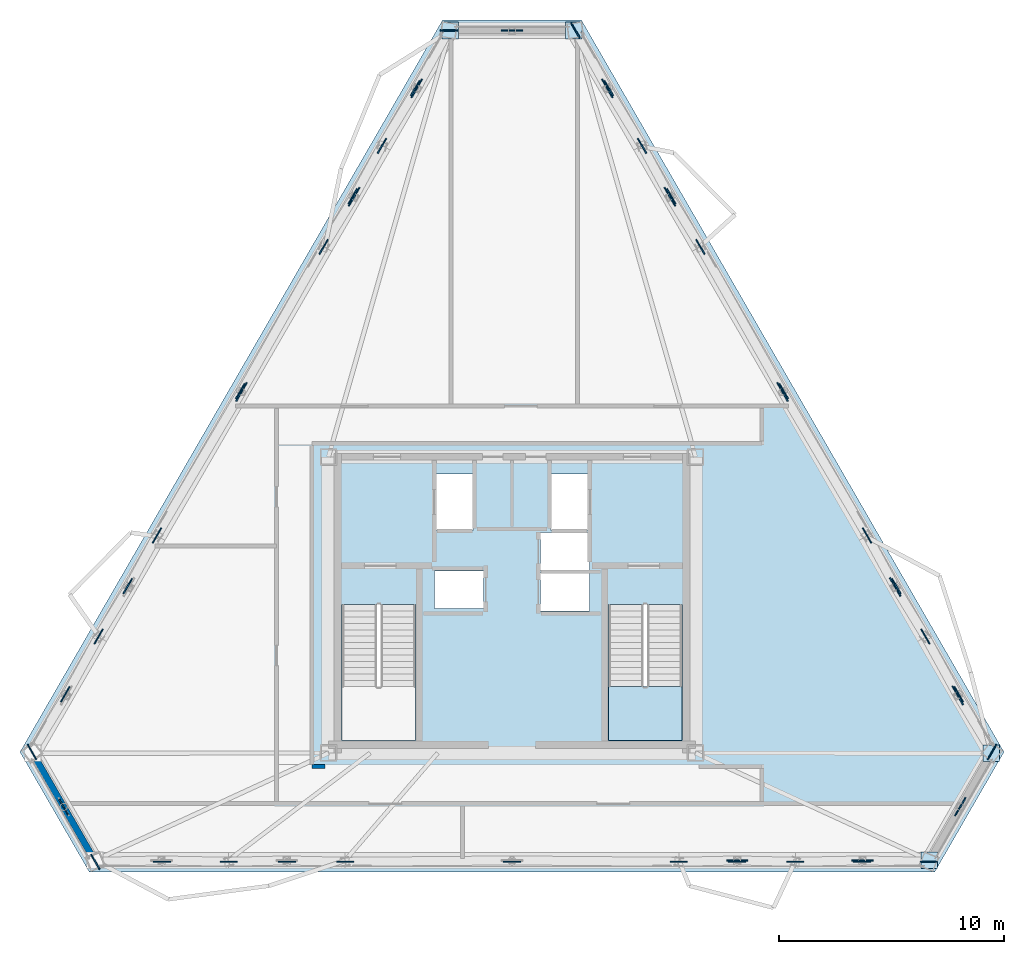
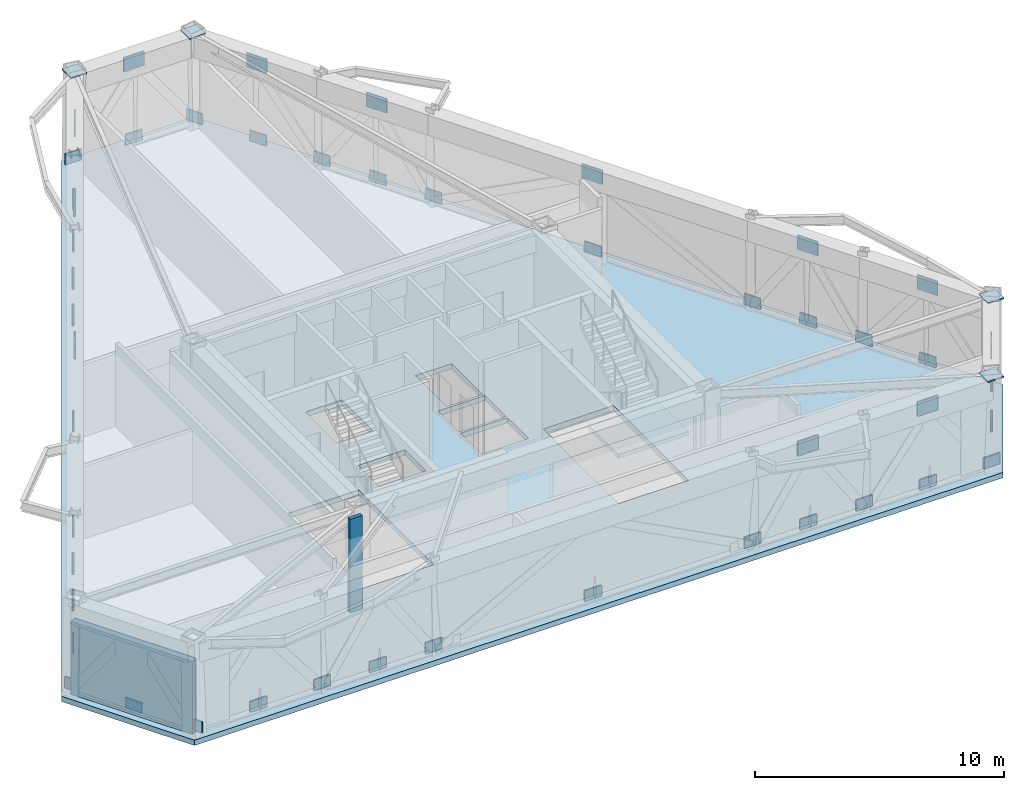
# One storey, part 5 of 10: 52 plates, 2 slabs, 2 walls, 1 element without a shape of its own.
"""IFC4 building model written with IfcOpenShell, lengths in metres."""

from ifc_helpers import new_model, si_unit, direction, frame, frame_2d, origin, origin_2d, place, context, subcontext, project, spatial, polyline, rectangle, outline, extrude, material, layer, layer_set, type_object, element, aggregate, save


model = new_model("IFC4")

# Units and contexts
model_context = context("Model", 3, precision=1e-05, world=origin(), true_north=direction((0.0, 1.0)))
body_context = subcontext(model_context, "Body", "Model", "MODEL_VIEW")
ifc_project = project(units=[si_unit("LENGTHUNIT", "METRE"), si_unit("AREAUNIT", "SQUARE_METRE"), si_unit("VOLUMEUNIT", "CUBIC_METRE"), si_unit("PLANEANGLEUNIT", "RADIAN"), si_unit("MASSUNIT", "GRAM", prefix="KILO")], contexts=[model_context])

# Site, building, storey
site_placement = place(None, origin())
site = spatial("IfcSite", under=ifc_project, at=site_placement, CompositionType="ELEMENT")
building_placement = place(site_placement, origin())
building = spatial("IfcBuilding", under=site, at=building_placement, Name="Oramaril Tower", CompositionType="ELEMENT")
storey_placement = place(building_placement, frame((0.0, 0.0, 245.10009765625)))
storey = spatial("IfcBuildingStorey", under=building, at=storey_placement, Name="L65", CompositionType="ELEMENT", Elevation=245.10009765625)

# Plates
ifc_material_1 = material(Name="Steel ASTM A572 Gr 50", Category="steel")
ifc_layer_1 = layer(ifc_material_1, 0.06494140625)
ifc_layer_set_1 = layer_set([ifc_layer_1], Name="PLT-C65")
plate_type_1 = type_object("IfcPlateType", Name="PLT-C65", PredefinedType="USERDEFINED", material=ifc_layer_set_1)
for number, where, z_axis, x_axis, name in (
    (1, (56.026123046875, 6.23046875, 4.514892578125), (0.0, 0.0, 1.0), (1.0, 0.0, 0.0), "L65 Column Cap Plate CP-03"),
    (2, (58.7744140625, 10.990478515625, 4.514892578125), (0.0, 0.0, 1.0), (1.0, 0.0, 0.0), "L65 Column Cap Plate CP-04"),
    (3, (40.248291015625, 43.0791015625, 4.514892578125), (0.0, 0.0, 1.0), (1.0, 0.0, 0.0), "L65 Column Cap Plate CP-05"),
    (4, (34.751708984375, 43.0791015625, 4.514892578125), (0.0, 0.0, 1.0), (1.0, 0.0, 0.0), "L65 Column Cap Plate CP-06"),
):
    element("IfcPlate", number, at=place(storey_placement, frame(where, z_axis=z_axis, x_axis=x_axis)), inside=storey, type_object=plate_type_1, Name=name, ObjectType="CAP", PredefinedType="USERDEFINED", context=body_context, shape_type="SweptSolid", body=[
        extrude(rectangle(XDim=0.739990234375, YDim=0.739990234375, at=origin_2d()), origin(), (0.0, 0.0, 1.0), 0.06494140625),
    ])
ifc_material_2 = material(Name="Steel ASTM A572 Gr 50", Category="steel")
ifc_layer_2 = layer(ifc_material_2, 0.06005859375)
ifc_layer_set_2 = layer_set([ifc_layer_2], Name="PLT-G60")
plate_type_2 = type_object("IfcPlateType", Name="PLT-G60", PredefinedType="USERDEFINED", material=ifc_layer_set_2)
plate_1_placement = place(storey_placement, frame((17.591552734375, 8.60595703125, 0.10986328125), z_axis=(0.0, 0.0, 1.0), x_axis=(0.499992442484, -0.866029767075, 0.0)))
element("IfcPlate", 5, at=plate_1_placement, inside=storey, type_object=plate_type_2, Name="L65 Truss Mid-Chord Gusset Node KN-65A", ObjectType="GUSSET", PredefinedType="USERDEFINED", context=body_context, shape_type="SweptSolid", body=[
    extrude(rectangle(XDim=0.780029296875, YDim=0.06005859375, at=origin_2d()), origin(), (0.0, 0.0, 1.0), 0.52001953125),
])
for number, where, z_axis, x_axis, name in (
    (6, (16.18408203125, 11.04345703125, 0.119873046875), (0.0, 0.0, 1.0), (0.499992442484, -0.866029767075, 0.0), "L65 Truss Base Gusset Node KN-65A"),
    (7, (18.998779296875, 6.168212890625, 0.119873046875), (0.0, 0.0, 1.0), (0.499992442484, -0.866029767075, 0.0), "L65 Truss Base Gusset Node KN-65A"),
):
    element("IfcPlate", number, at=place(storey_placement, frame(where, z_axis=z_axis, x_axis=x_axis)), inside=storey, type_object=plate_type_2, Name=name, ObjectType="GUSSET", PredefinedType="USERDEFINED", context=body_context, shape_type="SweptSolid", body=[
        extrude(rectangle(XDim=0.760009765625, YDim=0.06005859375, at=origin_2d()), origin(), (0.0, 0.0, 1.0), 0.5400390625),
    ])
plate_2_placement = place(storey_placement, frame((21.958984375, 6.168212890625, 0.10986328125), z_axis=(0.0, 0.0, 1.0), x_axis=(1.0, 0.0, 0.0)))
element("IfcPlate", 8, at=plate_2_placement, inside=storey, type_object=plate_type_2, Name="L65 Truss Mid-Chord Gusset Node KN-65A", ObjectType="GUSSET", PredefinedType="USERDEFINED", context=body_context, shape_type="SweptSolid", body=[
    extrude(rectangle(XDim=0.780029296875, YDim=0.06005859375, at=origin_2d()), origin(), (0.0, 0.0, 1.0), 0.52001953125),
])
plate_3_placement = place(storey_placement, frame((24.919189453125, 6.168212890625, 0.119873046875), z_axis=(0.0, 0.0, 1.0), x_axis=(1.0, 0.0, 0.0)))
element("IfcPlate", 9, at=plate_3_placement, inside=storey, type_object=plate_type_2, Name="L65 Truss Base Gusset Node KN-65A", ObjectType="GUSSET", PredefinedType="USERDEFINED", context=body_context, shape_type="SweptSolid", body=[
    extrude(rectangle(XDim=0.760009765625, YDim=0.06005859375, at=origin_2d()), origin(), (0.0, 0.0, 1.0), 0.5400390625),
])
plate_4_placement = place(storey_placement, frame((27.509521484375, 6.168212890625, 0.10986328125), z_axis=(0.0, 0.0, 1.0), x_axis=(1.0, 0.0, 0.0)))
element("IfcPlate", 10, at=plate_4_placement, inside=storey, type_object=plate_type_2, Name="L65 Truss Mid-Chord Gusset Node KN-65A", ObjectType="GUSSET", PredefinedType="USERDEFINED", context=body_context, shape_type="SweptSolid", body=[
    extrude(rectangle(XDim=0.780029296875, YDim=0.06005859375, at=origin_2d()), origin(), (0.0, 0.0, 1.0), 0.52001953125),
])
plate_5_placement = place(storey_placement, frame((30.099609375, 6.168212890625, 0.119873046875), z_axis=(0.0, 0.0, 1.0), x_axis=(1.0, 0.0, 0.0)))
element("IfcPlate", 11, at=plate_5_placement, inside=storey, type_object=plate_type_2, Name="L65 Truss Base Gusset Node KN-65A", ObjectType="GUSSET", PredefinedType="USERDEFINED", context=body_context, shape_type="SweptSolid", body=[
    extrude(rectangle(XDim=0.760009765625, YDim=0.06005859375, at=origin_2d()), origin(), (0.0, 0.0, 1.0), 0.5400390625),
])
plate_6_placement = place(storey_placement, frame((37.5, 6.168212890625, 0.10986328125), z_axis=(0.0, 0.0, 1.0), x_axis=(1.0, 0.0, 0.0)))
element("IfcPlate", 12, at=plate_6_placement, inside=storey, type_object=plate_type_2, Name="L65 Truss Mid-Chord Gusset Node KN-65A", ObjectType="GUSSET", PredefinedType="USERDEFINED", context=body_context, shape_type="SweptSolid", body=[
    extrude(rectangle(XDim=0.780029296875, YDim=0.06005859375, at=origin_2d()), origin(), (0.0, 0.0, 1.0), 0.52001953125),
])
plate_7_placement = place(storey_placement, frame((44.900390625, 6.168212890625, 0.119873046875), z_axis=(0.0, 0.0, 1.0), x_axis=(1.0, 0.0, 0.0)))
element("IfcPlate", 13, at=plate_7_placement, inside=storey, type_object=plate_type_2, Name="L65 Truss Base Gusset Node KN-65A", ObjectType="GUSSET", PredefinedType="USERDEFINED", context=body_context, shape_type="SweptSolid", body=[
    extrude(rectangle(XDim=0.760009765625, YDim=0.06005859375, at=origin_2d()), origin(), (0.0, 0.0, 1.0), 0.5400390625),
])
plate_8_placement = place(storey_placement, frame((47.504150390625, 6.23046875, 3.72998046875), z_axis=(0.0, 0.0, 1.0), x_axis=(1.0, 0.0, 0.0)))
element("IfcPlate", 14, at=plate_8_placement, inside=storey, type_object=plate_type_2, Name="L65 Truss Top Gusset Node KN-65A", ObjectType="GUSSET", PredefinedType="USERDEFINED", context=body_context, shape_type="SweptSolid", body=[
    extrude(rectangle(XDim=0.949951171875, YDim=0.06005859375, at=origin_2d()), origin(), (0.0, 0.0, 1.0), 0.699951171875),
])
plate_9_placement = place(storey_placement, frame((47.490478515625, 6.168212890625, 0.10986328125), z_axis=(0.0, 0.0, 1.0), x_axis=(1.0, 0.0, 0.0)))
element("IfcPlate", 15, at=plate_9_placement, inside=storey, type_object=plate_type_2, Name="L65 Truss Mid-Chord Gusset Node KN-65A", ObjectType="GUSSET", PredefinedType="USERDEFINED", context=body_context, shape_type="SweptSolid", body=[
    extrude(rectangle(XDim=0.780029296875, YDim=0.06005859375, at=origin_2d()), origin(), (0.0, 0.0, 1.0), 0.52001953125),
])
plate_10_placement = place(storey_placement, frame((50.080810546875, 6.168212890625, 0.119873046875), z_axis=(0.0, 0.0, 1.0), x_axis=(1.0, 0.0, 0.0)))
element("IfcPlate", 16, at=plate_10_placement, inside=storey, type_object=plate_type_2, Name="L65 Truss Base Gusset Node KN-65A", ObjectType="GUSSET", PredefinedType="USERDEFINED", context=body_context, shape_type="SweptSolid", body=[
    extrude(rectangle(XDim=0.760009765625, YDim=0.06005859375, at=origin_2d()), origin(), (0.0, 0.0, 1.0), 0.5400390625),
])
plate_11_placement = place(storey_placement, frame((53.06201171875, 6.23046875, 3.72998046875), z_axis=(0.0, 0.0, 1.0), x_axis=(1.0, 0.0, 0.0)))
element("IfcPlate", 17, at=plate_11_placement, inside=storey, type_object=plate_type_2, Name="L65 Truss Top Gusset Node KN-65A", ObjectType="GUSSET", PredefinedType="USERDEFINED", context=body_context, shape_type="SweptSolid", body=[
    extrude(rectangle(XDim=0.949951171875, YDim=0.06005859375, at=origin_2d()), origin(), (0.0, 0.0, 1.0), 0.699951171875),
])
plate_12_placement = place(storey_placement, frame((53.041015625, 6.168212890625, 0.10986328125), z_axis=(0.0, 0.0, 1.0), x_axis=(1.0, 0.0, 0.0)))
element("IfcPlate", 18, at=plate_12_placement, inside=storey, type_object=plate_type_2, Name="L65 Truss Mid-Chord Gusset Node KN-65A", ObjectType="GUSSET", PredefinedType="USERDEFINED", context=body_context, shape_type="SweptSolid", body=[
    extrude(rectangle(XDim=0.780029296875, YDim=0.06005859375, at=origin_2d()), origin(), (0.0, 0.0, 1.0), 0.52001953125),
])
plate_13_placement = place(storey_placement, frame((56.001220703125, 6.168212890625, 0.119873046875), z_axis=(0.0, 0.0, 1.0), x_axis=(1.0, 0.0, 0.0)))
element("IfcPlate", 19, at=plate_13_placement, inside=storey, type_object=plate_type_2, Name="L65 Truss Base Gusset Node KN-65A", ObjectType="GUSSET", PredefinedType="USERDEFINED", context=body_context, shape_type="SweptSolid", body=[
    extrude(rectangle(XDim=0.760009765625, YDim=0.06005859375, at=origin_2d()), origin(), (0.0, 0.0, 1.0), 0.5400390625),
])
plate_14_placement = place(storey_placement, frame((57.400390625, 8.610595703125, 3.72998046875), z_axis=(0.0, 0.0, 1.0), x_axis=(0.499992442484, 0.866029767075, 0.0)))
element("IfcPlate", 20, at=plate_14_placement, inside=storey, type_object=plate_type_2, Name="L65 Truss Top Gusset Node KN-65B", ObjectType="GUSSET", PredefinedType="USERDEFINED", context=body_context, shape_type="SweptSolid", body=[
    extrude(rectangle(XDim=0.949951171875, YDim=0.06005859375, at=origin_2d()), origin(), (0.0, 0.0, 1.0), 0.699951171875),
])
plate_15_placement = place(storey_placement, frame((57.408447265625, 8.60595703125, 0.10986328125), z_axis=(0.0, 0.0, 1.0), x_axis=(0.499992442484, 0.866029767075, 0.0)))
element("IfcPlate", 21, at=plate_15_placement, inside=storey, type_object=plate_type_2, Name="L65 Truss Mid-Chord Gusset Node KN-65B", ObjectType="GUSSET", PredefinedType="USERDEFINED", context=body_context, shape_type="SweptSolid", body=[
    extrude(rectangle(XDim=0.780029296875, YDim=0.06005859375, at=origin_2d()), origin(), (0.0, 0.0, 1.0), 0.52001953125),
])
plate_16_placement = place(storey_placement, frame((58.81591796875, 11.04345703125, 0.119873046875), z_axis=(0.0, 0.0, 1.0), x_axis=(0.499992442484, 0.866029767075, 0.0)))
element("IfcPlate", 22, at=plate_16_placement, inside=storey, type_object=plate_type_2, Name="L65 Truss Base Gusset Node KN-65B", ObjectType="GUSSET", PredefinedType="USERDEFINED", context=body_context, shape_type="SweptSolid", body=[
    extrude(rectangle(XDim=0.760009765625, YDim=0.06005859375, at=origin_2d()), origin(), (0.0, 0.0, 1.0), 0.5400390625),
])
plate_17_placement = place(storey_placement, frame((57.292236328125, 13.5576171875, 3.72998046875), z_axis=(0.0, 0.0, 1.0), x_axis=(-0.500001511499, 0.866024531118, 0.0)))
element("IfcPlate", 23, at=plate_17_placement, inside=storey, type_object=plate_type_2, Name="L65 Truss Top Gusset Node KN-65B", ObjectType="GUSSET", PredefinedType="USERDEFINED", context=body_context, shape_type="SweptSolid", body=[
    extrude(rectangle(XDim=0.949951171875, YDim=0.06005859375, at=origin_2d()), origin(), (0.0, 0.0, 1.0), 0.699951171875),
])
plate_18_placement = place(storey_placement, frame((57.335693359375, 13.607177734375, 0.10986328125), z_axis=(0.0, 0.0, 1.0), x_axis=(-0.500001511499, 0.866024531118, 0.0)))
element("IfcPlate", 24, at=plate_18_placement, inside=storey, type_object=plate_type_2, Name="L65 Truss Mid-Chord Gusset Node KN-65B", ObjectType="GUSSET", PredefinedType="USERDEFINED", context=body_context, shape_type="SweptSolid", body=[
    extrude(rectangle(XDim=0.780029296875, YDim=0.06005859375, at=origin_2d()), origin(), (0.0, 0.0, 1.0), 0.52001953125),
])
plate_19_placement = place(storey_placement, frame((55.855712890625, 16.170654296875, 0.119873046875), z_axis=(0.0, 0.0, 1.0), x_axis=(-0.500001511499, 0.866024531118, 0.0)))
element("IfcPlate", 25, at=plate_19_placement, inside=storey, type_object=plate_type_2, Name="L65 Truss Base Gusset Node KN-65B", ObjectType="GUSSET", PredefinedType="USERDEFINED", context=body_context, shape_type="SweptSolid", body=[
    extrude(rectangle(XDim=0.760009765625, YDim=0.06005859375, at=origin_2d()), origin(), (0.0, 0.0, 1.0), 0.5400390625),
])
plate_20_placement = place(storey_placement, frame((54.513427734375, 18.370849609375, 3.72998046875), z_axis=(0.0, 0.0, 1.0), x_axis=(-0.4999984885, 0.866026276448, 0.0)))
element("IfcPlate", 26, at=plate_20_placement, inside=storey, type_object=plate_type_2, Name="L65 Truss Top Gusset Node KN-65B", ObjectType="GUSSET", PredefinedType="USERDEFINED", context=body_context, shape_type="SweptSolid", body=[
    extrude(rectangle(XDim=0.949951171875, YDim=0.06005859375, at=origin_2d()), origin(), (0.0, 0.0, 1.0), 0.699951171875),
])
plate_21_placement = place(storey_placement, frame((54.560546875, 18.413818359375, 0.10986328125), z_axis=(0.0, 0.0, 1.0), x_axis=(-0.4999984885, 0.866026276448, 0.0)))
element("IfcPlate", 27, at=plate_21_placement, inside=storey, type_object=plate_type_2, Name="L65 Truss Mid-Chord Gusset Node KN-65B", ObjectType="GUSSET", PredefinedType="USERDEFINED", context=body_context, shape_type="SweptSolid", body=[
    extrude(rectangle(XDim=0.780029296875, YDim=0.06005859375, at=origin_2d()), origin(), (0.0, 0.0, 1.0), 0.52001953125),
])
plate_22_placement = place(storey_placement, frame((53.265380859375, 20.656982421875, 0.119873046875), z_axis=(0.0, 0.0, 1.0), x_axis=(-0.4999984885, 0.866026276448, 0.0)))
element("IfcPlate", 28, at=plate_22_placement, inside=storey, type_object=plate_type_2, Name="L65 Truss Base Gusset Node KN-65B", ObjectType="GUSSET", PredefinedType="USERDEFINED", context=body_context, shape_type="SweptSolid", body=[
    extrude(rectangle(XDim=0.760009765625, YDim=0.06005859375, at=origin_2d()), origin(), (0.0, 0.0, 1.0), 0.5400390625),
])
plate_23_placement = place(storey_placement, frame((49.51123046875, 27.03466796875, 3.72998046875), z_axis=(0.0, 0.0, 1.0), x_axis=(-0.500001511499, 0.866024531118, 0.0)))
element("IfcPlate", 29, at=plate_23_placement, inside=storey, type_object=plate_type_2, Name="L65 Truss Top Gusset Node KN-65B", ObjectType="GUSSET", PredefinedType="USERDEFINED", context=body_context, shape_type="SweptSolid", body=[
    extrude(rectangle(XDim=0.949951171875, YDim=0.06005859375, at=origin_2d()), origin(), (0.0, 0.0, 1.0), 0.699951171875),
])
plate_24_placement = place(storey_placement, frame((49.565185546875, 27.06591796875, 0.10986328125), z_axis=(0.0, 0.0, 1.0), x_axis=(-0.500001511499, 0.866024531118, 0.0)))
element("IfcPlate", 30, at=plate_24_placement, inside=storey, type_object=plate_type_2, Name="L65 Truss Mid-Chord Gusset Node KN-65B", ObjectType="GUSSET", PredefinedType="USERDEFINED", context=body_context, shape_type="SweptSolid", body=[
    extrude(rectangle(XDim=0.780029296875, YDim=0.06005859375, at=origin_2d()), origin(), (0.0, 0.0, 1.0), 0.52001953125),
])
plate_25_placement = place(storey_placement, frame((45.864990234375, 33.474853515625, 0.119873046875), z_axis=(0.0, 0.0, 1.0), x_axis=(-0.500001511499, 0.866024531118, 0.0)))
element("IfcPlate", 31, at=plate_25_placement, inside=storey, type_object=plate_type_2, Name="L65 Truss Base Gusset Node KN-65B", ObjectType="GUSSET", PredefinedType="USERDEFINED", context=body_context, shape_type="SweptSolid", body=[
    extrude(rectangle(XDim=0.760009765625, YDim=0.06005859375, at=origin_2d()), origin(), (0.0, 0.0, 1.0), 0.5400390625),
])
plate_26_placement = place(storey_placement, frame((44.50927734375, 35.698486328125, 3.72998046875), z_axis=(0.0, 0.0, 1.0), x_axis=(-0.4999984885, 0.866026276448, 0.0)))
element("IfcPlate", 32, at=plate_26_placement, inside=storey, type_object=plate_type_2, Name="L65 Truss Top Gusset Node KN-65B", ObjectType="GUSSET", PredefinedType="USERDEFINED", context=body_context, shape_type="SweptSolid", body=[
    extrude(rectangle(XDim=0.949951171875, YDim=0.06005859375, at=origin_2d()), origin(), (0.0, 0.0, 1.0), 0.699951171875),
])
plate_27_placement = place(storey_placement, frame((44.570068359375, 35.718017578125, 0.10986328125), z_axis=(0.0, 0.0, 1.0), x_axis=(-0.4999984885, 0.866026276448, 0.0)))
element("IfcPlate", 33, at=plate_27_placement, inside=storey, type_object=plate_type_2, Name="L65 Truss Mid-Chord Gusset Node KN-65B", ObjectType="GUSSET", PredefinedType="USERDEFINED", context=body_context, shape_type="SweptSolid", body=[
    extrude(rectangle(XDim=0.780029296875, YDim=0.06005859375, at=origin_2d()), origin(), (0.0, 0.0, 1.0), 0.52001953125),
])
plate_28_placement = place(storey_placement, frame((43.27490234375, 37.961181640625, 0.119873046875), z_axis=(0.0, 0.0, 1.0), x_axis=(-0.4999984885, 0.866026276448, 0.0)))
element("IfcPlate", 34, at=plate_28_placement, inside=storey, type_object=plate_type_2, Name="L65 Truss Base Gusset Node KN-65B", ObjectType="GUSSET", PredefinedType="USERDEFINED", context=body_context, shape_type="SweptSolid", body=[
    extrude(rectangle(XDim=0.760009765625, YDim=0.06005859375, at=origin_2d()), origin(), (0.0, 0.0, 1.0), 0.5400390625),
])
plate_29_placement = place(storey_placement, frame((41.730224609375, 40.511962890625, 3.72998046875), z_axis=(0.0, 0.0, 1.0), x_axis=(-0.500001511499, 0.866024531118, 0.0)))
element("IfcPlate", 35, at=plate_29_placement, inside=storey, type_object=plate_type_2, Name="L65 Truss Top Gusset Node KN-65B", ObjectType="GUSSET", PredefinedType="USERDEFINED", context=body_context, shape_type="SweptSolid", body=[
    extrude(rectangle(XDim=0.949951171875, YDim=0.06005859375, at=origin_2d()), origin(), (0.0, 0.0, 1.0), 0.699951171875),
])
plate_30_placement = place(storey_placement, frame((41.794921875, 40.524658203125, 0.10986328125), z_axis=(0.0, 0.0, 1.0), x_axis=(-0.500001511499, 0.866024531118, 0.0)))
element("IfcPlate", 36, at=plate_30_placement, inside=storey, type_object=plate_type_2, Name="L65 Truss Mid-Chord Gusset Node KN-65B", ObjectType="GUSSET", PredefinedType="USERDEFINED", context=body_context, shape_type="SweptSolid", body=[
    extrude(rectangle(XDim=0.780029296875, YDim=0.06005859375, at=origin_2d()), origin(), (0.0, 0.0, 1.0), 0.52001953125),
])
plate_31_placement = place(storey_placement, frame((40.314697265625, 43.08837890625, 0.119873046875), z_axis=(0.0, 0.0, 1.0), x_axis=(-0.500001511499, 0.866024531118, 0.0)))
element("IfcPlate", 37, at=plate_31_placement, inside=storey, type_object=plate_type_2, Name="L65 Truss Base Gusset Node KN-65B", ObjectType="GUSSET", PredefinedType="USERDEFINED", context=body_context, shape_type="SweptSolid", body=[
    extrude(rectangle(XDim=0.760009765625, YDim=0.06005859375, at=origin_2d()), origin(), (0.0, 0.0, 1.0), 0.5400390625),
])
plate_32_placement = place(storey_placement, frame((37.5, 43.0791015625, 3.72998046875), z_axis=(0.0, 0.0, 1.0), x_axis=(-1.0, 0.0, 0.0)))
element("IfcPlate", 38, at=plate_32_placement, inside=storey, type_object=plate_type_2, Name="L65 Truss Top Gusset Node KN-65C", ObjectType="GUSSET", PredefinedType="USERDEFINED", context=body_context, shape_type="SweptSolid", body=[
    extrude(rectangle(XDim=0.949951171875, YDim=0.06005859375, at=origin_2d()), origin(), (0.0, 0.0, 1.0), 0.699951171875),
])
plate_33_placement = place(storey_placement, frame((37.5, 43.08837890625, 0.10986328125), z_axis=(0.0, 0.0, 1.0), x_axis=(-1.0, 0.0, 0.0)))
element("IfcPlate", 39, at=plate_33_placement, inside=storey, type_object=plate_type_2, Name="L65 Truss Mid-Chord Gusset Node KN-65C", ObjectType="GUSSET", PredefinedType="USERDEFINED", context=body_context, shape_type="SweptSolid", body=[
    extrude(rectangle(XDim=0.780029296875, YDim=0.06005859375, at=origin_2d()), origin(), (0.0, 0.0, 1.0), 0.52001953125),
])
plate_34_placement = place(storey_placement, frame((34.685302734375, 43.08837890625, 0.119873046875), z_axis=(0.0, 0.0, 1.0), x_axis=(-1.0, 0.0, 0.0)))
element("IfcPlate", 40, at=plate_34_placement, inside=storey, type_object=plate_type_2, Name="L65 Truss Base Gusset Node KN-65C", ObjectType="GUSSET", PredefinedType="USERDEFINED", context=body_context, shape_type="SweptSolid", body=[
    extrude(rectangle(XDim=0.760009765625, YDim=0.06005859375, at=origin_2d()), origin(), (0.0, 0.0, 1.0), 0.5400390625),
])
plate_35_placement = place(storey_placement, frame((33.269775390625, 40.511962890625, 3.72998046875), z_axis=(0.0, 0.0, 1.0), x_axis=(-0.500001511499, -0.866024531118, 0.0)))
element("IfcPlate", 41, at=plate_35_placement, inside=storey, type_object=plate_type_2, Name="L65 Truss Top Gusset Node KN-65C", ObjectType="GUSSET", PredefinedType="USERDEFINED", context=body_context, shape_type="SweptSolid", body=[
    extrude(rectangle(XDim=0.949951171875, YDim=0.06005859375, at=origin_2d()), origin(), (0.0, 0.0, 1.0), 0.699951171875),
])
plate_36_placement = place(storey_placement, frame((33.205078125, 40.524658203125, 0.10986328125), z_axis=(0.0, 0.0, 1.0), x_axis=(-0.500001511499, -0.866024531118, 0.0)))
element("IfcPlate", 42, at=plate_36_placement, inside=storey, type_object=plate_type_2, Name="L65 Truss Mid-Chord Gusset Node KN-65C", ObjectType="GUSSET", PredefinedType="USERDEFINED", context=body_context, shape_type="SweptSolid", body=[
    extrude(rectangle(XDim=0.780029296875, YDim=0.06005859375, at=origin_2d()), origin(), (0.0, 0.0, 1.0), 0.52001953125),
])
plate_37_placement = place(storey_placement, frame((31.72509765625, 37.961181640625, 0.119873046875), z_axis=(0.0, 0.0, 1.0), x_axis=(-0.500001511499, -0.866024531118, 0.0)))
element("IfcPlate", 43, at=plate_37_placement, inside=storey, type_object=plate_type_2, Name="L65 Truss Base Gusset Node KN-65C", ObjectType="GUSSET", PredefinedType="USERDEFINED", context=body_context, shape_type="SweptSolid", body=[
    extrude(rectangle(XDim=0.760009765625, YDim=0.06005859375, at=origin_2d()), origin(), (0.0, 0.0, 1.0), 0.5400390625),
])
plate_38_placement = place(storey_placement, frame((30.49072265625, 35.698486328125, 3.72998046875), z_axis=(0.0, 0.0, 1.0), x_axis=(-0.4999984885, -0.866026276448, 0.0)))
element("IfcPlate", 44, at=plate_38_placement, inside=storey, type_object=plate_type_2, Name="L65 Truss Top Gusset Node KN-65C", ObjectType="GUSSET", PredefinedType="USERDEFINED", context=body_context, shape_type="SweptSolid", body=[
    extrude(rectangle(XDim=0.949951171875, YDim=0.06005859375, at=origin_2d()), origin(), (0.0, 0.0, 1.0), 0.699951171875),
])
plate_39_placement = place(storey_placement, frame((30.43017578125, 35.718017578125, 0.10986328125), z_axis=(0.0, 0.0, 1.0), x_axis=(-0.4999984885, -0.866026276448, 0.0)))
element("IfcPlate", 45, at=plate_39_placement, inside=storey, type_object=plate_type_2, Name="L65 Truss Mid-Chord Gusset Node KN-65C", ObjectType="GUSSET", PredefinedType="USERDEFINED", context=body_context, shape_type="SweptSolid", body=[
    extrude(rectangle(XDim=0.780029296875, YDim=0.06005859375, at=origin_2d()), origin(), (0.0, 0.0, 1.0), 0.52001953125),
])
plate_40_placement = place(storey_placement, frame((29.135009765625, 33.474853515625, 0.119873046875), z_axis=(0.0, 0.0, 1.0), x_axis=(-0.4999984885, -0.866026276448, 0.0)))
element("IfcPlate", 46, at=plate_40_placement, inside=storey, type_object=plate_type_2, Name="L65 Truss Base Gusset Node KN-65C", ObjectType="GUSSET", PredefinedType="USERDEFINED", context=body_context, shape_type="SweptSolid", body=[
    extrude(rectangle(XDim=0.760009765625, YDim=0.06005859375, at=origin_2d()), origin(), (0.0, 0.0, 1.0), 0.5400390625),
])
plate_41_placement = place(storey_placement, frame((25.48876953125, 27.03466796875, 3.72998046875), z_axis=(0.0, 0.0, 1.0), x_axis=(-0.500001511499, -0.866024531118, 0.0)))
element("IfcPlate", 47, at=plate_41_placement, inside=storey, type_object=plate_type_2, Name="L65 Truss Top Gusset Node KN-65C", ObjectType="GUSSET", PredefinedType="USERDEFINED", context=body_context, shape_type="SweptSolid", body=[
    extrude(rectangle(XDim=0.949951171875, YDim=0.06005859375, at=origin_2d()), origin(), (0.0, 0.0, 1.0), 0.699951171875),
])
plate_42_placement = place(storey_placement, frame((25.434814453125, 27.06591796875, 0.10986328125), z_axis=(0.0, 0.0, 1.0), x_axis=(-0.500001511499, -0.866024531118, 0.0)))
element("IfcPlate", 48, at=plate_42_placement, inside=storey, type_object=plate_type_2, Name="L65 Truss Mid-Chord Gusset Node KN-65C", ObjectType="GUSSET", PredefinedType="USERDEFINED", context=body_context, shape_type="SweptSolid", body=[
    extrude(rectangle(XDim=0.780029296875, YDim=0.06005859375, at=origin_2d()), origin(), (0.0, 0.0, 1.0), 0.52001953125),
])
plate_43_placement = place(storey_placement, frame((21.734619140625, 20.656982421875, 0.119873046875), z_axis=(0.0, 0.0, 1.0), x_axis=(-0.500001511499, -0.866024531118, 0.0)))
element("IfcPlate", 49, at=plate_43_placement, inside=storey, type_object=plate_type_2, Name="L65 Truss Base Gusset Node KN-65C", ObjectType="GUSSET", PredefinedType="USERDEFINED", context=body_context, shape_type="SweptSolid", body=[
    extrude(rectangle(XDim=0.760009765625, YDim=0.06005859375, at=origin_2d()), origin(), (0.0, 0.0, 1.0), 0.5400390625),
])
plate_44_placement = place(storey_placement, frame((20.439453125, 18.413818359375, 0.10986328125), z_axis=(0.0, 0.0, 1.0), x_axis=(-0.4999984885, -0.866026276448, 0.0)))
element("IfcPlate", 50, at=plate_44_placement, inside=storey, type_object=plate_type_2, Name="L65 Truss Mid-Chord Gusset Node KN-65C", ObjectType="GUSSET", PredefinedType="USERDEFINED", context=body_context, shape_type="SweptSolid", body=[
    extrude(rectangle(XDim=0.780029296875, YDim=0.06005859375, at=origin_2d()), origin(), (0.0, 0.0, 1.0), 0.52001953125),
])
plate_45_placement = place(storey_placement, frame((19.144287109375, 16.170654296875, 0.119873046875), z_axis=(0.0, 0.0, 1.0), x_axis=(-0.4999984885, -0.866026276448, 0.0)))
element("IfcPlate", 51, at=plate_45_placement, inside=storey, type_object=plate_type_2, Name="L65 Truss Base Gusset Node KN-65C", ObjectType="GUSSET", PredefinedType="USERDEFINED", context=body_context, shape_type="SweptSolid", body=[
    extrude(rectangle(XDim=0.760009765625, YDim=0.06005859375, at=origin_2d()), origin(), (0.0, 0.0, 1.0), 0.5400390625),
])
plate_46_placement = place(storey_placement, frame((17.664306640625, 13.607177734375, 0.10986328125), z_axis=(0.0, 0.0, 1.0), x_axis=(-0.500001511499, -0.866024531118, 0.0)))
element("IfcPlate", 52, at=plate_46_placement, inside=storey, type_object=plate_type_2, Name="L65 Truss Mid-Chord Gusset Node KN-65C", ObjectType="GUSSET", PredefinedType="USERDEFINED", context=body_context, shape_type="SweptSolid", body=[
    extrude(rectangle(XDim=0.780029296875, YDim=0.06005859375, at=origin_2d()), origin(), (0.0, 0.0, 1.0), 0.52001953125),
])

# Stair, slab
ifc_material_3 = material(Name="Concrete C50/60", Category="concrete")
stair_type = type_object("IfcStairType", Name="STT-DG-4800", PredefinedType="HALF_TURN_STAIR", material=ifc_material_3)
stair_placement = place(storey_placement, origin())
stair = element("IfcStair", 53, at=stair_placement, inside=storey, type_object=stair_type, Name="L65 Protected PFP Exit Stair ST-2", PredefinedType="HALF_TURN_STAIR")
ifc_material_4 = material(Name="Concrete C50/60", Category="concrete")
ifc_layer_3 = layer(ifc_material_4, 0.199951171875)
ifc_layer_set_3 = layer_set([ifc_layer_3], Name="SLT-LND20")
slab_type_1 = type_object("IfcSlabType", Name="SLT-LND20", PredefinedType="LANDING", material=ifc_layer_set_3)
slab_1_placement = place(storey_placement, frame((0.0, 0.0, 2.199951171875)))
slab_1 = element("IfcSlab", 54, at=slab_1_placement, type_object=slab_type_1, Name="ST-2 landing 1", PredefinedType="LANDING", context=body_context, shape_type="SweptSolid", body=[
    extrude(outline(polyline([(41.780029296875, 13.949951171875), (41.780029296875, 11.550048828125), (45.050048828125, 11.550048828125), (45.050048828125, 13.949951171875), (41.780029296875, 13.949951171875)])), origin(), (0.0, 0.0, 1.0), 0.199951171875),
])
aggregate(stair, [slab_1])

# Slab
ifc_material_5 = material(Name="Concrete C50/60", Category="concrete")
ifc_layer_4 = layer(ifc_material_5, 0.260009765625)
ifc_layer_set_4 = layer_set([ifc_layer_4], Name="SLT-TRF26")
slab_type_2 = type_object("IfcSlabType", Name="SLT-TRF26", PredefinedType="FLOOR", material=ifc_layer_set_4)
slab_2_placement = place(storey_placement, frame((0.0, 0.0, -0.260009765625)))
element("IfcSlab", 55, at=slab_2_placement, inside=storey, type_object=slab_type_2, Name="L65 Structural Floor Slab", PredefinedType="FLOOR", context=body_context, shape_type="SweptSolid", body=[
    extrude(outline(polyline([(15.653076171875, 11.04345703125), (18.7333984375, 5.708251953125), (56.2666015625, 5.708251953125), (59.346923828125, 11.04345703125), (40.580322265625, 43.54833984375), (34.419677734375, 43.54833984375), (15.653076171875, 11.04345703125)]), holes=[polyline([(29.949951171875, 17.58935546875), (29.949951171875, 11.550048828125), (33.219970703125, 11.550048828125), (33.219970703125, 17.58935546875), (29.949951171875, 17.58935546875)]), polyline([(41.780029296875, 17.58935546875), (41.780029296875, 11.550048828125), (45.050048828125, 11.550048828125), (45.050048828125, 17.58935546875), (41.780029296875, 17.58935546875)]), polyline([(34.110107421875, 20.909912109375), (35.7900390625, 20.909912109375), (35.7900390625, 23.389892578125), (34.110107421875, 23.389892578125), (34.110107421875, 20.909912109375)]), polyline([(39.2099609375, 20.909912109375), (40.889892578125, 20.909912109375), (40.889892578125, 23.389892578125), (39.2099609375, 23.389892578125), (39.2099609375, 20.909912109375)]), polyline([(34.06005859375, 17.409912109375), (36.239990234375, 17.409912109375), (36.239990234375, 19.090087890625), (34.06005859375, 19.090087890625), (34.06005859375, 17.409912109375)]), polyline([(38.760009765625, 17.31005859375), (40.93994140625, 17.31005859375), (40.93994140625, 18.989990234375), (38.760009765625, 18.989990234375), (38.760009765625, 17.31005859375)]), polyline([(38.760009765625, 19.110107421875), (40.93994140625, 19.110107421875), (40.93994140625, 20.7900390625), (38.760009765625, 20.7900390625), (38.760009765625, 19.110107421875)])]), origin(), (0.0, 0.0, 1.0), 0.260009765625),
])

# Walls
ifc_material_6 = material(Name="Warm Cream Limestone", Category="masonry")
ifc_layer_5 = layer(ifc_material_6, 0.2900390625)
ifc_layer_set_5 = layer_set([ifc_layer_5], Name="WT-EXT29")
wall_type_1 = type_object("IfcWallType", Name="WT-EXT29", PredefinedType="SOLIDWALL", material=ifc_layer_set_5)
wall_1_placement = place(storey_placement, frame((16.18408203125, 11.04345703125, 0.0), z_axis=(0.0, 0.0, 1.0), x_axis=(0.499996502575, -0.866027423014, 0.0)))
element("IfcWall", 56, at=wall_1_placement, inside=storey, type_object=wall_type_1, Name="L65 Tower Limestone Facade Wall 1M", PredefinedType="SOLIDWALL", context=body_context, shape_type="SweptSolid", body=[
    extrude(rectangle(XDim=5.62939453125, YDim=0.2900390625, at=frame_2d((2.814697265625, 0.0))), origin(), (0.0, 0.0, 1.0), 3.56982421875),
])
ifc_material_7 = material(Name="Autoclaved Cellular Concrete Block", Category="concrete")
ifc_layer_6 = layer(ifc_material_7, 0.179931640625)
ifc_layer_set_6 = layer_set([ifc_layer_6], Name="WT-PT18")
wall_type_2 = type_object("IfcWallType", Name="WT-PT18", PredefinedType="PARTITIONING", material=ifc_layer_set_6)
wall_2_placement = place(storey_placement, frame((28.6201171875, 10.39990234375, 0.0), z_axis=(0.0, 0.0, 1.0), x_axis=(1.0, 0.0, 0.0)))
element("IfcWall", 57, at=wall_2_placement, inside=storey, type_object=wall_type_2, Name="L65 Interior Partition PT-18", PredefinedType="PARTITIONING", context=body_context, shape_type="SweptSolid", body=[
    extrude(rectangle(XDim=0.579833984375, YDim=0.179931640625, at=frame_2d((0.2900390625, 0.0))), origin(), (0.0, 0.0, 1.0), 4.579833984375),
])

save(model, "model.ifc")
